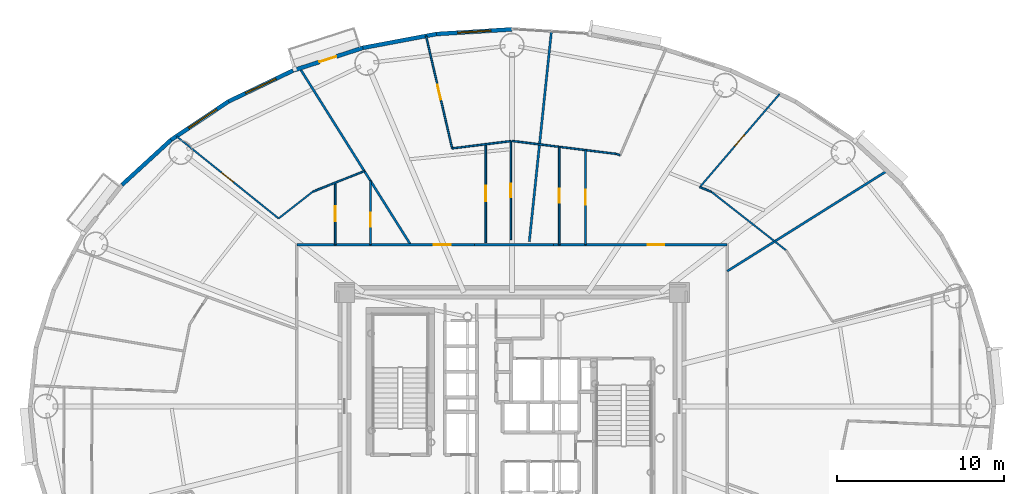
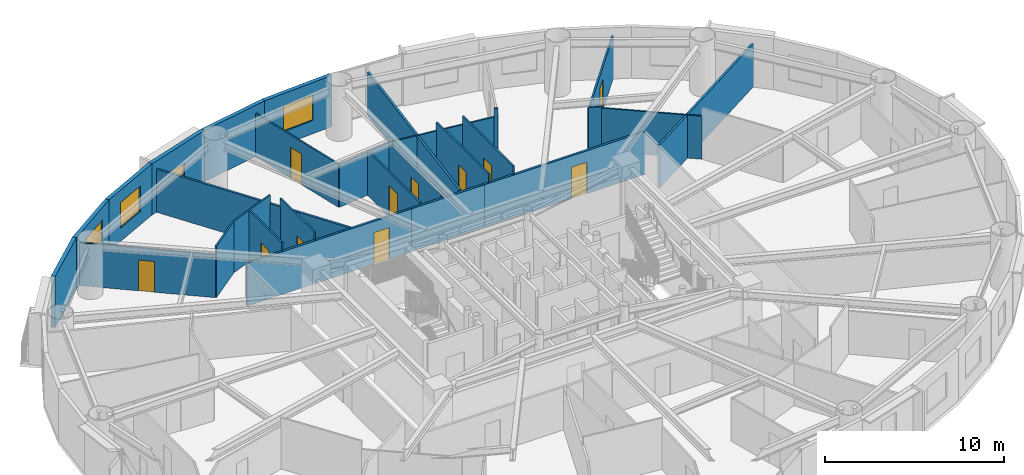
# One storey, part 12 of 19: 28 walls, 12 doors, 3 windows, 15 openings.
"""IFC4 building model written with IfcOpenShell, lengths in metres."""

from ifc_helpers import new_model, si_unit, direction, frame, frame_2d, origin, origin_2d, place, context, subcontext, project, spatial, rectangle, extrude, source, transform, mapped, material, layer, layer_set, type_object, element, fill, save


model = new_model("IFC4")

# Units and contexts
model_context = context("Model", 3, precision=1e-05, world=origin(), true_north=direction((0.0, 1.0)))
body_context = subcontext(model_context, "Body", "Model", "MODEL_VIEW")
ifc_project = project(units=[si_unit("LENGTHUNIT", "METRE"), si_unit("AREAUNIT", "SQUARE_METRE"), si_unit("VOLUMEUNIT", "CUBIC_METRE"), si_unit("PLANEANGLEUNIT", "RADIAN"), si_unit("MASSUNIT", "GRAM", prefix="KILO")], contexts=[model_context])

# Site, building, storey
site_placement = place(None, origin())
site = spatial("IfcSite", under=ifc_project, at=site_placement, CompositionType="ELEMENT")
building_placement = place(site_placement, origin())
building = spatial("IfcBuilding", under=site, at=building_placement, Name="Linh Dai School and Residence Tower", CompositionType="ELEMENT")
storey_placement = place(building_placement, frame((0.0, 0.0, 119.699951171875)))
storey = spatial("IfcBuildingStorey", under=building, at=storey_placement, Name="L28", CompositionType="ELEMENT", Elevation=119.699951171875)

# Wall, opening, window
ifc_material_1 = material(Name="Precast Concrete B45 (C35/45)", Category="concrete")
ifc_layer_1 = layer(ifc_material_1, 0.239990234375)
ifc_layer_set_1 = layer_set([ifc_layer_1], Name="Precast Concrete B45 (C35/45)")
wall_type_1 = type_object("IfcWallType", Name="EW-TC-240", PredefinedType="SOLIDWALL", material=ifc_layer_set_1)
wall_1_placement = place(storey_placement, frame((31.494384765625, 49.227294921875, 0.0), z_axis=(0.0, 0.0, 1.0), x_axis=(0.998107531589, 0.061492726276, 0.0)))
wall_1 = element("IfcWall", 1, at=wall_1_placement, inside=storey, type_object=wall_type_1, Name="L28 Terracotta Exterior Wall 11", PredefinedType="SOLIDWALL", context=body_context, shape_type="SweptSolid", body=[
    extrude(rectangle(XDim=4.51416015625, YDim=0.239990234375, at=frame_2d((2.257080078125, 0.0))), origin(), (0.0, 0.0, 1.0), 3.5),
])
opening_1_placement = place(wall_1_placement, frame((1.257080078125, 0.0, 0.89990234375)))
opening_1 = element("IfcOpeningElement", 2, at=opening_1_placement, cuts=wall_1, Name="Opening W1", PredefinedType="OPENING", context=body_context, shape_type="SweptSolid", body=[
    extrude(rectangle(XDim=2.0, YDim=1.75, at=origin_2d()), frame((1.0, 0.1298828125, 0.875), z_axis=(0.0, -1.0, 0.0), x_axis=(1.0, 0.0, 0.0)), (0.0, 0.0, 1.0), 0.260009765625),
])
ifc_material_2 = material(Name="Double Low-E Insulated Glazing", Category="glass")
window_type = type_object("IfcWindowType", Name="WN-RES-2000x1750", PartitioningType="DOUBLE_PANEL_VERTICAL", PredefinedType="WINDOW", material=ifc_material_2)
shared_shape_1 = source(origin(), body_context, "Body", "SweptSolid", [
    extrude(rectangle(XDim=2.0, YDim=1.75, at=origin_2d()), frame((1.0, 0.030029296875, 0.875), z_axis=(0.0, -1.0, 0.0), x_axis=(1.0, 0.0, 0.0)), (0.0, 0.0, 1.0), 0.06005859375),
])
window_1_placement = place(opening_1_placement, origin())
window_1 = element("IfcWindow", 3, at=window_1_placement, inside=storey, type_object=window_type, Name="L28 Exterior Window 11.1", OverallHeight=1.75, OverallWidth=2.0, PartitioningType="DOUBLE_PANEL_VERTICAL", PredefinedType="WINDOW", context=body_context, shape_type="MappedRepresentation", body=[
    mapped(shared_shape_1, transform((0.0, 0.0, 0.0), x_axis=(1.0, 0.0, 0.0), y_axis=(0.0, 1.0, 0.0), z_axis=(0.0, 0.0, 1.0), scale=1.0)),
])
fill(opening_1, window_1)

# Wall
wall_2_placement = place(storey_placement, frame((27.100341796875, 48.4013671875, 0.0), z_axis=(0.0, 0.0, 1.0), x_axis=(0.982789252177, 0.184730305596, 0.0)))
element("IfcWall", 4, at=wall_2_placement, inside=storey, type_object=wall_type_1, Name="L28 Terracotta Exterior Wall 12", PredefinedType="SOLIDWALL", context=body_context, shape_type="SweptSolid", body=[
    extrude(rectangle(XDim=4.470947265625, YDim=0.239990234375, at=frame_2d((2.2353515625, 0.0))), origin(), (0.0, 0.0, 1.0), 3.5),
])

# Wall, opening, door
wall_3_placement = place(storey_placement, frame((22.926025390625, 47.04736328125, 0.0), z_axis=(0.0, 0.0, 1.0), x_axis=(0.951211346073, 0.308540070495, 0.0)))
wall_3 = element("IfcWall", 5, at=wall_3_placement, inside=storey, type_object=wall_type_1, Name="L28 Terracotta Exterior Wall 13", PredefinedType="SOLIDWALL", context=body_context, shape_type="SweptSolid", body=[
    extrude(rectangle(XDim=4.388427734375, YDim=0.239990234375, at=frame_2d((2.1943359375, 0.0))), origin(), (0.0, 0.0, 1.0), 3.5),
])
opening_2_placement = place(wall_3_placement, frame((1.669189453125, 0.0, 0.0)))
opening_2 = element("IfcOpeningElement", 6, at=opening_2_placement, cuts=wall_3, Name="Opening BD1", PredefinedType="OPENING", context=body_context, shape_type="SweptSolid", body=[
    extrude(rectangle(XDim=1.050048828125, YDim=2.14990234375, at=origin_2d()), frame((0.52490234375, 0.1298828125, 1.074951171875), z_axis=(0.0, -1.0, 0.0), x_axis=(1.0, 0.0, 0.0)), (0.0, 0.0, 1.0), 0.260009765625),
])
ifc_material_3 = material(Name="Double-Glazed Balcony Door", Category="glass")
door_type_1 = type_object("IfcDoorType", Name="DR-BALC-1050x2150", OperationType="NOTDEFINED", PredefinedType="DOOR", material=ifc_material_3)
shared_shape_2 = source(origin(), body_context, "Body", "SweptSolid", [
    extrude(rectangle(XDim=1.050048828125, YDim=2.14990234375, at=origin_2d()), frame((0.52490234375, 0.02490234375, 1.074951171875), z_axis=(0.0, -1.0, 0.0), x_axis=(1.0, 0.0, 0.0)), (0.0, 0.0, 1.0), 0.050048828125),
])
door_1_placement = place(opening_2_placement, origin())
door_1 = element("IfcDoor", 7, at=door_1_placement, inside=storey, type_object=door_type_1, Name="L28 Glazed Balcony Door 13", OperationType="SINGLE_SWING_LEFT", OverallHeight=2.14990234375, OverallWidth=1.050048828125, PredefinedType="DOOR", context=body_context, shape_type="MappedRepresentation", body=[
    mapped(shared_shape_2, transform((0.0, 0.0, 0.0), x_axis=(1.0, 0.0, 0.0), y_axis=(0.0, 1.0, 0.0), z_axis=(0.0, 0.0, 1.0), scale=1.0)),
])
fill(opening_2, door_1)

# Wall, opening, window
wall_4_placement = place(storey_placement, frame((19.07470703125, 45.199462890625, 0.0), z_axis=(0.0, 0.0, 1.0), x_axis=(0.901589935876, 0.432591709962, 0.0)))
wall_4 = element("IfcWall", 8, at=wall_4_placement, inside=storey, type_object=wall_type_1, Name="L28 Terracotta Exterior Wall 14", PredefinedType="SOLIDWALL", context=body_context, shape_type="SweptSolid", body=[
    extrude(rectangle(XDim=4.271728515625, YDim=0.239990234375, at=frame_2d((2.1357421875, 0.0))), origin(), (0.0, 0.0, 1.0), 3.5),
])
opening_3_placement = place(wall_4_placement, frame((1.135986328125, 0.0, 0.89990234375)))
opening_3 = element("IfcOpeningElement", 9, at=opening_3_placement, cuts=wall_4, Name="Opening W1", PredefinedType="OPENING", context=body_context, shape_type="SweptSolid", body=[
    extrude(rectangle(XDim=2.0, YDim=1.75, at=origin_2d()), frame((1.0, 0.1298828125, 0.875), z_axis=(0.0, -1.0, 0.0), x_axis=(1.0, 0.0, 0.0)), (0.0, 0.0, 1.0), 0.260009765625),
])
window_2_placement = place(opening_3_placement, origin())
window_2 = element("IfcWindow", 10, at=window_2_placement, inside=storey, type_object=window_type, Name="L28 Exterior Window 14.1", OverallHeight=1.75, OverallWidth=2.0, PartitioningType="DOUBLE_PANEL_VERTICAL", PredefinedType="WINDOW", context=body_context, shape_type="MappedRepresentation", body=[
    mapped(shared_shape_1, transform((0.0, 0.0, 0.0), x_axis=(1.0, 0.0, 0.0), y_axis=(0.0, 1.0, 0.0), z_axis=(0.0, 0.0, 1.0), scale=1.0)),
])
fill(opening_3, window_2)

wall_5_placement = place(storey_placement, frame((15.6416015625, 42.9033203125, 0.0), z_axis=(0.0, 0.0, 1.0), x_axis=(0.831221811447, 0.555940914284, 0.0)))
wall_5 = element("IfcWall", 11, at=wall_5_placement, inside=storey, type_object=wall_type_1, Name="L28 Terracotta Exterior Wall 15", PredefinedType="SOLIDWALL", context=body_context, shape_type="SweptSolid", body=[
    extrude(rectangle(XDim=4.130126953125, YDim=0.239990234375, at=frame_2d((2.06494140625, 0.0))), origin(), (0.0, 0.0, 1.0), 3.5),
])
opening_4_placement = place(wall_5_placement, frame((1.275634765625, 0.0, 0.89990234375)))
opening_4 = element("IfcOpeningElement", 12, at=opening_4_placement, cuts=wall_5, Name="Opening W1", PredefinedType="OPENING", context=body_context, shape_type="SweptSolid", body=[
    extrude(rectangle(XDim=2.0, YDim=1.75, at=origin_2d()), frame((1.0, 0.1298828125, 0.875), z_axis=(0.0, -1.0, 0.0), x_axis=(1.0, 0.0, 0.0)), (0.0, 0.0, 1.0), 0.260009765625),
])
window_3_placement = place(opening_4_placement, origin())
window_3 = element("IfcWindow", 13, at=window_3_placement, inside=storey, type_object=window_type, Name="L28 Exterior Window 15.1", OverallHeight=1.75, OverallWidth=2.0, PartitioningType="DOUBLE_PANEL_VERTICAL", PredefinedType="WINDOW", context=body_context, shape_type="MappedRepresentation", body=[
    mapped(shared_shape_1, transform((0.0, 0.0, 0.0), x_axis=(1.0, 0.0, 0.0), y_axis=(0.0, 1.0, 0.0), z_axis=(0.0, 0.0, 1.0), scale=1.0)),
])
fill(opening_4, window_3)

# Wall
wall_6_placement = place(storey_placement, frame((12.7109375, 40.216552734375, 0.0), z_axis=(0.0, 0.0, 1.0), x_axis=(0.737113356241, 0.675769117414, 0.0)))
element("IfcWall", 14, at=wall_6_placement, inside=storey, type_object=wall_type_1, Name="L28 Terracotta Exterior Wall 16", PredefinedType="SOLIDWALL", context=body_context, shape_type="SweptSolid", body=[
    extrude(rectangle(XDim=3.975830078125, YDim=0.239990234375, at=frame_2d((1.98779296875, 0.0))), origin(), (0.0, 0.0, 1.0), 3.5),
])

# Wall, opening, door
ifc_material_4 = material(Name="Autoclaved Aerated Concrete Blockwork", Category="masonry")
ifc_layer_2 = layer(ifc_material_4, 0.135009765625)
ifc_layer_set_2 = layer_set([ifc_layer_2], Name="Autoclaved Aerated Concrete Blockwork")
wall_type_2 = type_object("IfcWallType", Name="IW-CORR-135-EI90", PredefinedType="PARTITIONING", material=ifc_layer_set_2)
wall_7_placement = place(storey_placement, frame((23.14990234375, 36.64990234375, 0.0), z_axis=(0.0, 0.0, 1.0), x_axis=(1.0, 0.0, 0.0)))
wall_7 = element("IfcWall", 15, at=wall_7_placement, inside=storey, type_object=wall_type_2, Name="L28 Interior Partition Wall 019", PredefinedType="PARTITIONING", context=body_context, shape_type="SweptSolid", body=[
    extrude(rectangle(XDim=10.61181640625, YDim=0.135009765625, at=frame_2d((5.305908203125, 0.0))), origin(), (0.0, 0.0, 1.0), 2.93505859375),
])
opening_5_placement = place(wall_7_placement, frame((8.18212890625, 0.0, 0.0)))
opening_5 = element("IfcOpeningElement", 16, at=opening_5_placement, cuts=wall_7, Name="Opening D03", PredefinedType="OPENING", context=body_context, shape_type="SweptSolid", body=[
    extrude(rectangle(XDim=1.0, YDim=2.14990234375, at=origin_2d()), frame((0.5, 0.07763671875, 1.074951171875), z_axis=(0.0, -1.0, 0.0), x_axis=(1.0, 0.0, 0.0)), (0.0, 0.0, 1.0), 0.155029296875),
])
ifc_material_5 = material(Name="Fire-Rated Solid Timber Entrance Door", Category="wood")
door_type_2 = type_object("IfcDoorType", Name="DR-FLAT-1000x2150-FD60S", OperationType="NOTDEFINED", PredefinedType="DOOR", material=ifc_material_5)
shared_shape_3 = source(origin(), body_context, "Body", "SweptSolid", [
    extrude(rectangle(XDim=1.0, YDim=2.14990234375, at=origin_2d()), frame((0.5, 0.02490234375, 1.074951171875), z_axis=(0.0, -1.0, 0.0), x_axis=(1.0, 0.0, 0.0)), (0.0, 0.0, 1.0), 0.050048828125),
])
door_2_placement = place(opening_5_placement, origin())
door_2 = element("IfcDoor", 17, at=door_2_placement, inside=storey, type_object=door_type_2, Name="L28 U2801 Apartment Entrance Door", OperationType="SINGLE_SWING_LEFT", OverallHeight=2.14990234375, OverallWidth=1.0, PredefinedType="DOOR", context=body_context, shape_type="MappedRepresentation", body=[
    mapped(shared_shape_3, transform((0.0, 0.0, 0.0), x_axis=(1.0, 0.0, 0.0), y_axis=(0.0, 1.0, 0.0), z_axis=(0.0, 0.0, 1.0), scale=1.0)),
])
fill(opening_5, door_2)

# Walls
wall_8_placement = place(storey_placement, frame((23.330078125, 47.18359375, 0.0), z_axis=(0.0, 0.0, 1.0), x_axis=(0.531660079213, -0.846957826678, 0.0)))
element("IfcWall", 18, at=wall_8_placement, inside=storey, type_object=wall_type_2, Name="L28 Interior Partition Wall 020", PredefinedType="PARTITIONING", context=body_context, shape_type="SweptSolid", body=[
    extrude(rectangle(XDim=12.43701171875, YDim=0.135009765625, at=frame_2d((6.218505859375, 0.0))), origin(), (0.0, 0.0, 1.0), 2.93505859375),
])
wall_9_placement = place(storey_placement, frame((37.032958984375, 36.8291015625, 0.0), z_axis=(0.0, 0.0, 1.0), x_axis=(0.104530526966, 0.994521678463, 0.0)))
element("IfcWall", 19, at=wall_9_placement, inside=storey, type_object=wall_type_2, Name="L28 Interior Partition Wall 060", PredefinedType="PARTITIONING", context=body_context, shape_type="SweptSolid", body=[
    extrude(rectangle(XDim=12.605224609375, YDim=0.135009765625, at=frame_2d((6.302734375, 0.0))), origin(), (0.0, 0.0, 1.0), 2.93505859375),
])

# Wall, opening, door
wall_10_placement = place(storey_placement, frame((38.47705078125, 36.64990234375, 0.0), z_axis=(0.0, 0.0, 1.0), x_axis=(1.0, 0.0, 0.0)))
wall_10 = element("IfcWall", 20, at=wall_10_placement, inside=storey, type_object=wall_type_2, Name="L28 Interior Partition Wall 063", PredefinedType="PARTITIONING", context=body_context, shape_type="SweptSolid", body=[
    extrude(rectangle(XDim=10.373046875, YDim=0.135009765625, at=frame_2d((5.1865234375, 0.0))), origin(), (0.0, 0.0, 1.0), 2.93505859375),
])
opening_6_placement = place(wall_10_placement, frame((5.62109375, 0.0, 0.0)))
opening_6 = element("IfcOpeningElement", 21, at=opening_6_placement, cuts=wall_10, Name="Opening D03", PredefinedType="OPENING", context=body_context, shape_type="SweptSolid", body=[
    extrude(rectangle(XDim=1.0, YDim=2.14990234375, at=origin_2d()), frame((0.5, 0.07763671875, 1.074951171875), z_axis=(0.0, -1.0, 0.0), x_axis=(1.0, 0.0, 0.0)), (0.0, 0.0, 1.0), 0.155029296875),
])
door_3_placement = place(opening_6_placement, origin())
door_3 = element("IfcDoor", 22, at=door_3_placement, inside=storey, type_object=door_type_2, Name="L28 U2808 Apartment Entrance Door", OperationType="SINGLE_SWING_RIGHT", OverallHeight=2.14990234375, OverallWidth=1.0, PredefinedType="DOOR", context=body_context, shape_type="MappedRepresentation", body=[
    mapped(shared_shape_3, transform((0.0, 0.0, 0.0), x_axis=(1.0, 0.0, 0.0), y_axis=(0.0, 1.0, 0.0), z_axis=(0.0, 0.0, 1.0), scale=1.0)),
])
fill(opening_6, door_3)

# Walls
wall_11_placement = place(storey_placement, frame((48.85009765625, 35.06640625, 0.0), z_axis=(0.0, 0.0, 1.0), x_axis=(0.846963568038, 0.531650932866, 0.0)))
element("IfcWall", 23, at=wall_11_placement, inside=storey, type_object=wall_type_2, Name="L28 Interior Partition Wall 091", PredefinedType="PARTITIONING", context=body_context, shape_type="SweptSolid", body=[
    extrude(rectangle(XDim=11.258056640625, YDim=0.135009765625, at=frame_2d((5.62890625, 0.0))), origin(), (0.0, 0.0, 1.0), 2.93505859375),
])
wall_12_placement = place(storey_placement, frame((33.771728515625, 36.64990234375, 0.0), z_axis=(0.0, 0.0, 1.0), x_axis=(1.0, 0.0, 0.0)))
element("IfcWall", 24, at=wall_12_placement, inside=storey, type_object=wall_type_2, Name="L28 Interior Partition Wall 111", PredefinedType="PARTITIONING", context=body_context, shape_type="SweptSolid", body=[
    extrude(rectangle(XDim=4.6953125, YDim=0.135009765625, at=frame_2d((2.34765625, 0.0))), origin(), (0.0, 0.0, 1.0), 2.93505859375),
])

# Wall, opening, door
ifc_material_6 = material(Name="Gypsum Plasterboard Acoustic Stud Partition", Category="masonry")
ifc_layer_3 = layer(ifc_material_6, 0.10009765625)
ifc_layer_set_3 = layer_set([ifc_layer_3], Name="Gypsum Plasterboard Acoustic Stud Partition")
wall_type_3 = type_object("IfcWallType", Name="IW-UNIT-100", PredefinedType="PARTITIONING", material=ifc_layer_set_3)
wall_13_placement = place(storey_placement, frame((15.962646484375, 43.1240234375, 0.0), z_axis=(0.0, 0.0, 1.0), x_axis=(0.779083359145, -0.626920345421, 0.0)))
wall_13 = element("IfcWall", 25, at=wall_13_placement, inside=storey, type_object=wall_type_3, Name="L28 Interior Partition Wall 009", PredefinedType="PARTITIONING", context=body_context, shape_type="SweptSolid", body=[
    extrude(rectangle(XDim=7.831298828125, YDim=0.10009765625, at=frame_2d((3.91552734375, 0.0))), origin(), (0.0, 0.0, 1.0), 2.93505859375),
])
opening_7_placement = place(wall_13_placement, frame((3.4658203125, 0.0, 0.0)))
opening_7 = element("IfcOpeningElement", 26, at=opening_7_placement, cuts=wall_13, Name="Opening D05", PredefinedType="OPENING", context=body_context, shape_type="SweptSolid", body=[
    extrude(rectangle(XDim=0.89990234375, YDim=2.10009765625, at=origin_2d()), frame((0.449951171875, 0.06005859375, 1.050048828125), z_axis=(0.0, -1.0, 0.0), x_axis=(1.0, 0.0, 0.0)), (0.0, 0.0, 1.0), 0.1201171875),
])
ifc_material_7 = material(Name="Engineered Timber Internal Door", Category="wood")
door_type_3 = type_object("IfcDoorType", Name="DR-INT-900x2100", OperationType="NOTDEFINED", PredefinedType="DOOR", material=ifc_material_7)
shared_shape_4 = source(origin(), body_context, "Body", "SweptSolid", [
    extrude(rectangle(XDim=0.89990234375, YDim=2.10009765625, at=origin_2d()), frame((0.449951171875, 0.02490234375, 1.050048828125), z_axis=(0.0, -1.0, 0.0), x_axis=(1.0, 0.0, 0.0)), (0.0, 0.0, 1.0), 0.050048828125),
])
door_4_placement = place(opening_7_placement, origin())
door_4 = element("IfcDoor", 27, at=door_4_placement, inside=storey, type_object=door_type_3, Name="L28 Apartment U2802 Principal Bedroom 1 Door", OperationType="SINGLE_SWING_RIGHT", OverallHeight=2.10009765625, OverallWidth=0.89990234375, PredefinedType="DOOR", context=body_context, shape_type="MappedRepresentation", body=[
    mapped(shared_shape_4, transform((0.0, 0.0, 0.0), x_axis=(1.0, 0.0, 0.0), y_axis=(0.0, 1.0, 0.0), z_axis=(0.0, 0.0, 1.0), scale=1.0)),
])
fill(opening_7, door_4)

# Walls
wall_14_placement = place(storey_placement, frame((22.06396484375, 38.21435546875, 0.0), z_axis=(0.0, 0.0, 1.0), x_axis=(0.787364158956, 0.616488184146, 0.0)))
element("IfcWall", 28, at=wall_14_placement, inside=storey, type_object=wall_type_3, Name="L28 Interior Partition Wall 015", PredefinedType="PARTITIONING", context=body_context, shape_type="SweptSolid", body=[
    extrude(rectangle(XDim=2.597412109375, YDim=0.10009765625, at=frame_2d((1.298828125, 0.0))), origin(), (0.0, 0.0, 1.0), 3.5),
])
wall_15_placement = place(storey_placement, frame((24.109130859375, 39.815673828125, 0.0), z_axis=(0.0, 0.0, 1.0), x_axis=(0.928811896505, 0.370551563092, 0.0)))
element("IfcWall", 29, at=wall_15_placement, inside=storey, type_object=wall_type_3, Name="L28 Interior Partition Wall 022", PredefinedType="PARTITIONING", context=body_context, shape_type="SweptSolid", body=[
    extrude(rectangle(XDim=3.3115234375, YDim=0.10009765625, at=frame_2d((1.65576171875, 0.0))), origin(), (0.0, 0.0, 1.0), 3.5),
])

# Wall, opening, door
wall_16_placement = place(storey_placement, frame((25.45068359375, 36.64990234375, 0.0), z_axis=(0.0, 0.0, 1.0), x_axis=(0.0, 1.0, 0.0)))
wall_16 = element("IfcWall", 30, at=wall_16_placement, inside=storey, type_object=wall_type_3, Name="L28 Interior Partition Wall 023", PredefinedType="PARTITIONING", context=body_context, shape_type="SweptSolid", body=[
    extrude(rectangle(XDim=3.700927734375, YDim=0.10009765625, at=frame_2d((1.8505859375, 0.0))), origin(), (0.0, 0.0, 1.0), 3.5),
])
opening_8_placement = place(wall_16_placement, frame((1.400390625, 0.0, 0.0)))
opening_8 = element("IfcOpeningElement", 31, at=opening_8_placement, cuts=wall_16, Name="Opening D05", PredefinedType="OPENING", context=body_context, shape_type="SweptSolid", body=[
    extrude(rectangle(XDim=0.89990234375, YDim=2.10009765625, at=origin_2d()), frame((0.449951171875, 0.06005859375, 1.050048828125), z_axis=(0.0, -1.0, 0.0), x_axis=(1.0, 0.0, 0.0)), (0.0, 0.0, 1.0), 0.1201171875),
])
door_5_placement = place(opening_8_placement, origin())
door_5 = element("IfcDoor", 32, at=door_5_placement, inside=storey, type_object=door_type_3, Name="L28 Apartment U2802 Kitchen Door", OperationType="SINGLE_SWING_LEFT", OverallHeight=2.10009765625, OverallWidth=0.89990234375, PredefinedType="DOOR", context=body_context, shape_type="MappedRepresentation", body=[
    mapped(shared_shape_4, transform((0.0, 0.0, 0.0), x_axis=(1.0, 0.0, 0.0), y_axis=(0.0, 1.0, 0.0), z_axis=(0.0, 0.0, 1.0), scale=1.0)),
])
fill(opening_8, door_5)

wall_17_placement = place(storey_placement, frame((27.55322265625, 36.64990234375, 0.0), z_axis=(0.0, 0.0, 1.0), x_axis=(0.0, 1.0, 0.0)))
wall_17 = element("IfcWall", 33, at=wall_17_placement, inside=storey, type_object=wall_type_3, Name="L28 Interior Partition Wall 024", PredefinedType="PARTITIONING", context=body_context, shape_type="SweptSolid", body=[
    extrude(rectangle(XDim=3.80615234375, YDim=0.10009765625, at=frame_2d((1.903076171875, 0.0))), origin(), (0.0, 0.0, 1.0), 3.5),
])
opening_9_placement = place(wall_17_placement, frame((1.0810546875, 0.0, 0.0)))
opening_9 = element("IfcOpeningElement", 34, at=opening_9_placement, cuts=wall_17, Name="Opening D06", PredefinedType="OPENING", context=body_context, shape_type="SweptSolid", body=[
    extrude(rectangle(XDim=0.820068359375, YDim=2.10009765625, at=origin_2d()), frame((0.41015625, 0.06005859375, 1.050048828125), z_axis=(0.0, -1.0, 0.0), x_axis=(1.0, 0.0, 0.0)), (0.0, 0.0, 1.0), 0.1201171875),
])
ifc_material_8 = material(Name="Moisture-Resistant Timber Bathroom Door", Category="wood")
door_type_4 = type_object("IfcDoorType", Name="DR-WET-820x2100", OperationType="NOTDEFINED", PredefinedType="DOOR", material=ifc_material_8)
shared_shape_5 = source(origin(), body_context, "Body", "SweptSolid", [
    extrude(rectangle(XDim=0.820068359375, YDim=2.10009765625, at=origin_2d()), frame((0.41015625, 0.02490234375, 1.050048828125), z_axis=(0.0, -1.0, 0.0), x_axis=(1.0, 0.0, 0.0)), (0.0, 0.0, 1.0), 0.050048828125),
])
door_6_placement = place(opening_9_placement, origin())
door_6 = element("IfcDoor", 35, at=door_6_placement, inside=storey, type_object=door_type_4, Name="L28 Apartment U2802 Bathroom 1 Door", OperationType="SINGLE_SWING_RIGHT", OverallHeight=2.10009765625, OverallWidth=0.820068359375, PredefinedType="DOOR", context=body_context, shape_type="MappedRepresentation", body=[
    mapped(shared_shape_5, transform((0.0, 0.0, 0.0), x_axis=(1.0, 0.0, 0.0), y_axis=(0.0, 1.0, 0.0), z_axis=(0.0, 0.0, 1.0), scale=1.0)),
])
fill(opening_9, door_6)

wall_18_placement = place(storey_placement, frame((30.870361328125, 49.114990234375, 0.0), z_axis=(0.0, 0.0, 1.0), x_axis=(0.225963524246, -0.97413576349, 0.0)))
wall_18 = element("IfcWall", 36, at=wall_18_placement, inside=storey, type_object=wall_type_3, Name="L28 Interior Partition Wall 028", PredefinedType="PARTITIONING", context=body_context, shape_type="SweptSolid", body=[
    extrude(rectangle(XDim=6.895263671875, YDim=0.10009765625, at=frame_2d((3.44775390625, 0.0))), origin(), (0.0, 0.0, 1.0), 2.93505859375),
])
opening_10_placement = place(wall_18_placement, frame((2.997802734375, 0.0, 0.0)))
opening_10 = element("IfcOpeningElement", 37, at=opening_10_placement, cuts=wall_18, Name="Opening D05", PredefinedType="OPENING", context=body_context, shape_type="SweptSolid", body=[
    extrude(rectangle(XDim=0.89990234375, YDim=2.10009765625, at=origin_2d()), frame((0.449951171875, 0.06005859375, 1.050048828125), z_axis=(0.0, -1.0, 0.0), x_axis=(1.0, 0.0, 0.0)), (0.0, 0.0, 1.0), 0.1201171875),
])
door_7_placement = place(opening_10_placement, origin())
door_7 = element("IfcDoor", 38, at=door_7_placement, inside=storey, type_object=door_type_3, Name="L28 Apartment U2801 Principal Bedroom 1 Door", OperationType="SINGLE_SWING_RIGHT", OverallHeight=2.10009765625, OverallWidth=0.89990234375, PredefinedType="DOOR", context=body_context, shape_type="MappedRepresentation", body=[
    mapped(shared_shape_4, transform((0.0, 0.0, 0.0), x_axis=(1.0, 0.0, 0.0), y_axis=(0.0, 1.0, 0.0), z_axis=(0.0, 0.0, 1.0), scale=1.0)),
])
fill(opening_10, door_7)

# Wall
wall_19_placement = place(storey_placement, frame((32.428466796875, 42.39794921875, 0.0), z_axis=(0.0, 0.0, 1.0), x_axis=(0.992389102891, 0.123141660146, 0.0)))
element("IfcWall", 39, at=wall_19_placement, inside=storey, type_object=wall_type_3, Name="L28 Interior Partition Wall 037", PredefinedType="PARTITIONING", context=body_context, shape_type="SweptSolid", body=[
    extrude(rectangle(XDim=3.532958984375, YDim=0.10009765625, at=frame_2d((1.7666015625, 0.0))), origin(), (0.0, 0.0, 1.0), 2.93505859375),
])

# Wall, opening, door
wall_20_placement = place(storey_placement, frame((34.430419921875, 36.762451171875, 0.0), z_axis=(0.0, 0.0, 1.0), x_axis=(0.0, 1.0, 0.0)))
wall_20 = element("IfcWall", 40, at=wall_20_placement, inside=storey, type_object=wall_type_3, Name="L28 Interior Partition Wall 040", PredefinedType="PARTITIONING", context=body_context, shape_type="SweptSolid", body=[
    extrude(rectangle(XDim=5.8837890625, YDim=0.10009765625, at=frame_2d((2.94189453125, 0.0))), origin(), (0.0, 0.0, 1.0), 3.03515625),
])
opening_11_placement = place(wall_20_placement, frame((2.491943359375, 0.0, 0.0)))
opening_11 = element("IfcOpeningElement", 41, at=opening_11_placement, cuts=wall_20, Name="Opening D05", PredefinedType="OPENING", context=body_context, shape_type="SweptSolid", body=[
    extrude(rectangle(XDim=0.89990234375, YDim=2.10009765625, at=origin_2d()), frame((0.449951171875, 0.06005859375, 1.050048828125), z_axis=(0.0, -1.0, 0.0), x_axis=(1.0, 0.0, 0.0)), (0.0, 0.0, 1.0), 0.1201171875),
])
door_8_placement = place(opening_11_placement, origin())
door_8 = element("IfcDoor", 42, at=door_8_placement, inside=storey, type_object=door_type_3, Name="L28 Apartment U2801 Kitchen Door", OperationType="SINGLE_SWING_LEFT", OverallHeight=2.10009765625, OverallWidth=0.89990234375, PredefinedType="DOOR", context=body_context, shape_type="MappedRepresentation", body=[
    mapped(shared_shape_4, transform((0.0, 0.0, 0.0), x_axis=(1.0, 0.0, 0.0), y_axis=(0.0, 1.0, 0.0), z_axis=(0.0, 0.0, 1.0), scale=1.0)),
])
fill(opening_11, door_8)

wall_21_placement = place(storey_placement, frame((35.9345703125, 36.948974609375, 0.0), z_axis=(0.0, 0.0, 1.0), x_axis=(0.0, 1.0, 0.0)))
wall_21 = element("IfcWall", 43, at=wall_21_placement, inside=storey, type_object=wall_type_3, Name="L28 Interior Partition Wall 053", PredefinedType="PARTITIONING", context=body_context, shape_type="SweptSolid", body=[
    extrude(rectangle(XDim=5.8837890625, YDim=0.10009765625, at=frame_2d((2.94189453125, 0.0))), origin(), (0.0, 0.0, 1.0), 2.93505859375),
])
opening_12_placement = place(wall_21_placement, frame((2.531982421875, 0.0, 0.0)))
opening_12 = element("IfcOpeningElement", 44, at=opening_12_placement, cuts=wall_21, Name="Opening D06", PredefinedType="OPENING", context=body_context, shape_type="SweptSolid", body=[
    extrude(rectangle(XDim=0.820068359375, YDim=2.10009765625, at=origin_2d()), frame((0.41015625, 0.06005859375, 1.050048828125), z_axis=(0.0, -1.0, 0.0), x_axis=(1.0, 0.0, 0.0)), (0.0, 0.0, 1.0), 0.1201171875),
])
door_9_placement = place(opening_12_placement, origin())
door_9 = element("IfcDoor", 45, at=door_9_placement, inside=storey, type_object=door_type_4, Name="L28 Apartment U2801 Bathroom 1 Door", OperationType="SINGLE_SWING_RIGHT", OverallHeight=2.10009765625, OverallWidth=0.820068359375, PredefinedType="DOOR", context=body_context, shape_type="MappedRepresentation", body=[
    mapped(shared_shape_5, transform((0.0, 0.0, 0.0), x_axis=(1.0, 0.0, 0.0), y_axis=(0.0, 1.0, 0.0), z_axis=(0.0, 0.0, 1.0), scale=1.0)),
])
fill(opening_12, door_9)

# Wall
wall_22_placement = place(storey_placement, frame((36.0, 42.841064453125, 0.0), z_axis=(0.0, 0.0, 1.0), x_axis=(0.992395485088, -0.123090215599, 0.0)))
element("IfcWall", 46, at=wall_22_placement, inside=storey, type_object=wall_type_3, Name="L28 Interior Partition Wall 057", PredefinedType="PARTITIONING", context=body_context, shape_type="SweptSolid", body=[
    extrude(rectangle(XDim=6.29931640625, YDim=0.10009765625, at=frame_2d((3.149658203125, 0.0))), origin(), (0.0, 0.0, 1.0), 2.93505859375),
])

# Wall, opening, door
wall_23_placement = place(storey_placement, frame((38.816650390625, 36.64990234375, 0.0), z_axis=(0.0, 0.0, 1.0), x_axis=(0.0, 1.0, 0.0)))
wall_23 = element("IfcWall", 47, at=wall_23_placement, inside=storey, type_object=wall_type_3, Name="L28 Interior Partition Wall 066", PredefinedType="PARTITIONING", context=body_context, shape_type="SweptSolid", body=[
    extrude(rectangle(XDim=5.841796875, YDim=0.10009765625, at=frame_2d((2.9208984375, 0.0))), origin(), (0.0, 0.0, 1.0), 3.5),
])
opening_13_placement = place(wall_23_placement, frame((2.5107421875, 0.0, 0.0)))
opening_13 = element("IfcOpeningElement", 48, at=opening_13_placement, cuts=wall_23, Name="Opening D06", PredefinedType="OPENING", context=body_context, shape_type="SweptSolid", body=[
    extrude(rectangle(XDim=0.820068359375, YDim=2.10009765625, at=origin_2d()), frame((0.41015625, 0.06005859375, 1.050048828125), z_axis=(0.0, -1.0, 0.0), x_axis=(1.0, 0.0, 0.0)), (0.0, 0.0, 1.0), 0.1201171875),
])
door_10_placement = place(opening_13_placement, origin())
door_10 = element("IfcDoor", 49, at=door_10_placement, inside=storey, type_object=door_type_4, Name="L28 Apartment U2808 Bathroom 1 Door", OperationType="SINGLE_SWING_RIGHT", OverallHeight=2.10009765625, OverallWidth=0.820068359375, PredefinedType="DOOR", context=body_context, shape_type="MappedRepresentation", body=[
    mapped(shared_shape_5, transform((0.0, 0.0, 0.0), x_axis=(1.0, 0.0, 0.0), y_axis=(0.0, 1.0, 0.0), z_axis=(0.0, 0.0, 1.0), scale=1.0)),
])
fill(opening_13, door_10)

wall_24_placement = place(storey_placement, frame((40.38623046875, 36.64990234375, 0.0), z_axis=(0.0, 0.0, 1.0), x_axis=(0.0, 1.0, 0.0)))
wall_24 = element("IfcWall", 50, at=wall_24_placement, inside=storey, type_object=wall_type_3, Name="L28 Interior Partition Wall 075", PredefinedType="PARTITIONING", context=body_context, shape_type="SweptSolid", body=[
    extrude(rectangle(XDim=5.647216796875, YDim=0.10009765625, at=frame_2d((2.82373046875, 0.0))), origin(), (0.0, 0.0, 1.0), 3.5),
])
opening_14_placement = place(wall_24_placement, frame((2.37353515625, 0.0, 0.0)))
opening_14 = element("IfcOpeningElement", 51, at=opening_14_placement, cuts=wall_24, Name="Opening D05", PredefinedType="OPENING", context=body_context, shape_type="SweptSolid", body=[
    extrude(rectangle(XDim=0.89990234375, YDim=2.10009765625, at=origin_2d()), frame((0.449951171875, 0.06005859375, 1.050048828125), z_axis=(0.0, -1.0, 0.0), x_axis=(1.0, 0.0, 0.0)), (0.0, 0.0, 1.0), 0.1201171875),
])
door_11_placement = place(opening_14_placement, origin())
door_11 = element("IfcDoor", 52, at=door_11_placement, inside=storey, type_object=door_type_3, Name="L28 Apartment U2808 Kitchen Door", OperationType="SINGLE_SWING_LEFT", OverallHeight=2.10009765625, OverallWidth=0.89990234375, PredefinedType="DOOR", context=body_context, shape_type="MappedRepresentation", body=[
    mapped(shared_shape_4, transform((0.0, 0.0, 0.0), x_axis=(1.0, 0.0, 0.0), y_axis=(0.0, 1.0, 0.0), z_axis=(0.0, 0.0, 1.0), scale=1.0)),
])
fill(opening_14, door_11)

# Walls
wall_25_placement = place(storey_placement, frame((42.25146484375, 42.065673828125, 0.0), z_axis=(0.0, 0.0, 1.0), x_axis=(0.928632622675, -0.371000609303, 0.0)))
element("IfcWall", 53, at=wall_25_placement, inside=storey, type_object=wall_type_3, Name="L28 Interior Partition Wall 080", PredefinedType="PARTITIONING", context=body_context, shape_type="SweptSolid", body=[
    extrude(rectangle(XDim=0.2158203125, YDim=0.10009765625, at=frame_2d((0.10791015625, 0.0))), origin(), (0.0, 0.0, 1.0), 3.5),
])
wall_26_placement = place(storey_placement, frame((47.2119140625, 40.086669921875, 0.0), z_axis=(0.0, 0.0, 1.0), x_axis=(0.928752817467, -0.370699614307, 0.0)))
element("IfcWall", 54, at=wall_26_placement, inside=storey, type_object=wall_type_3, Name="L28 Interior Partition Wall 085", PredefinedType="PARTITIONING", context=body_context, shape_type="SweptSolid", body=[
    extrude(rectangle(XDim=0.73095703125, YDim=0.10009765625, at=frame_2d((0.365478515625, 0.0))), origin(), (0.0, 0.0, 1.0), 3.03515625),
])

# Wall, opening, door
wall_27_placement = place(storey_placement, frame((47.2119140625, 40.086669921875, 0.0), z_axis=(0.0, 0.0, 1.0), x_axis=(0.650621399292, 0.759402261508, 0.0)))
wall_27 = element("IfcWall", 55, at=wall_27_placement, inside=storey, type_object=wall_type_3, Name="L28 Interior Partition Wall 086", PredefinedType="PARTITIONING", context=body_context, shape_type="SweptSolid", body=[
    extrude(rectangle(XDim=7.33447265625, YDim=0.10009765625, at=frame_2d((3.667236328125, 0.0))), origin(), (0.0, 0.0, 1.0), 2.93505859375),
])
opening_15_placement = place(wall_27_placement, frame((3.21728515625, 0.0, 0.0)))
opening_15 = element("IfcOpeningElement", 56, at=opening_15_placement, cuts=wall_27, Name="Opening D05", PredefinedType="OPENING", context=body_context, shape_type="SweptSolid", body=[
    extrude(rectangle(XDim=0.89990234375, YDim=2.10009765625, at=origin_2d()), frame((0.449951171875, 0.06005859375, 1.050048828125), z_axis=(0.0, -1.0, 0.0), x_axis=(1.0, 0.0, 0.0)), (0.0, 0.0, 1.0), 0.1201171875),
])
door_12_placement = place(opening_15_placement, origin())
door_12 = element("IfcDoor", 57, at=door_12_placement, inside=storey, type_object=door_type_3, Name="L28 Apartment U2808 Principal Bedroom 1 Door", OperationType="SINGLE_SWING_LEFT", OverallHeight=2.10009765625, OverallWidth=0.89990234375, PredefinedType="DOOR", context=body_context, shape_type="MappedRepresentation", body=[
    mapped(shared_shape_4, transform((0.0, 0.0, 0.0), x_axis=(1.0, 0.0, 0.0), y_axis=(0.0, 1.0, 0.0), z_axis=(0.0, 0.0, 1.0), scale=1.0)),
])
fill(opening_15, door_12)

# Wall
wall_28_placement = place(storey_placement, frame((47.890869140625, 39.815673828125, 0.0), z_axis=(0.0, 0.0, 1.0), x_axis=(0.787338202739, -0.616521333376, 0.0)))
element("IfcWall", 58, at=wall_28_placement, inside=storey, type_object=wall_type_3, Name="L28 Interior Partition Wall 088", PredefinedType="PARTITIONING", context=body_context, shape_type="SweptSolid", body=[
    extrude(rectangle(XDim=5.68408203125, YDim=0.10009765625, at=frame_2d((2.842041015625, 0.0))), origin(), (0.0, 0.0, 1.0), 2.93505859375),
])

save(model, "model.ifc")
